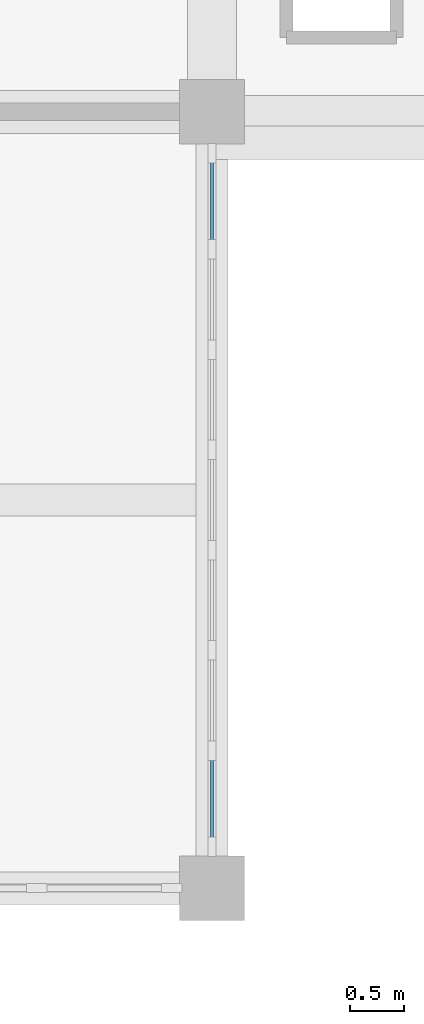
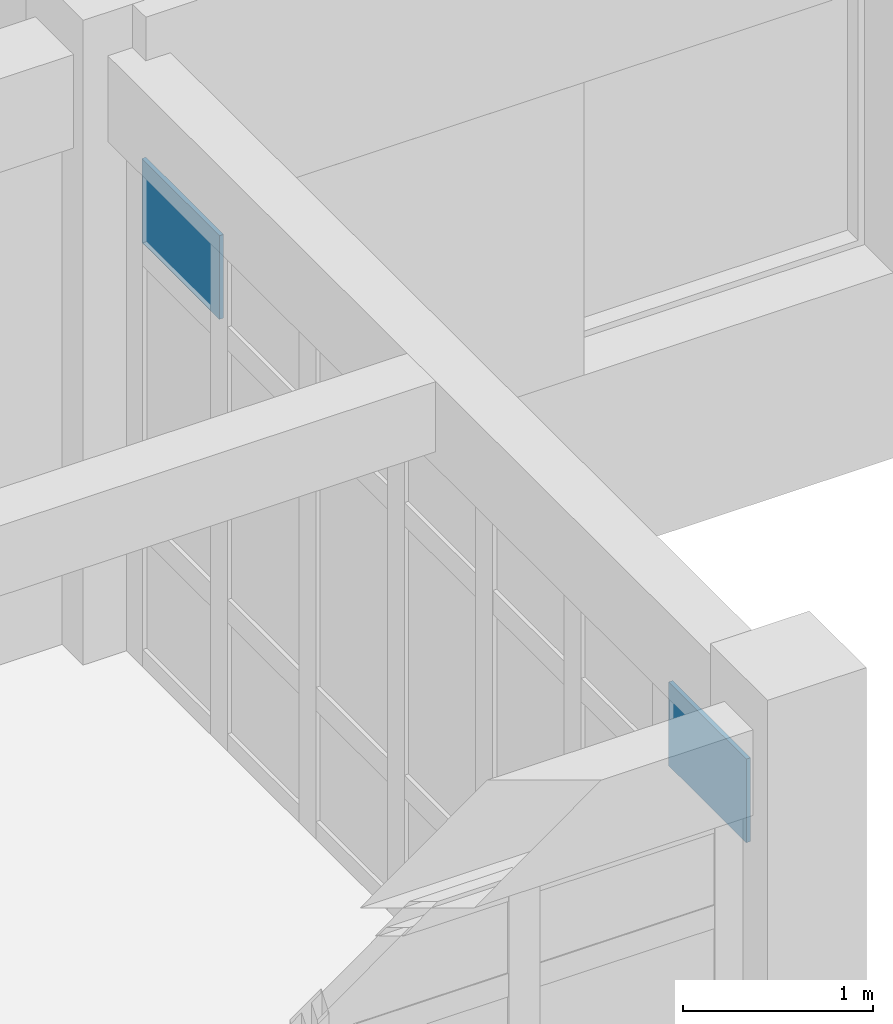
# One storey, part 47 of 62: 2 plates, 1 element without a shape of its own.
"""IFC4 building model written with IfcOpenShell, lengths in metres."""

from ifc_helpers import new_model, si_unit, direction, frame, origin, origin_2d, place, context, subcontext, project, spatial, rectangle, extrude, material, layer, layer_set, type_object, element, aggregate, save


model = new_model("IFC4")

# Units and contexts
model_context = context("Model", 3, precision=1e-05, world=origin(), true_north=direction((0.0, 1.0)))
body_context = subcontext(model_context, "Body", "Model", "MODEL_VIEW")
ifc_project = project(units=[si_unit("LENGTHUNIT", "METRE"), si_unit("AREAUNIT", "SQUARE_METRE"), si_unit("VOLUMEUNIT", "CUBIC_METRE"), si_unit("PLANEANGLEUNIT", "RADIAN"), si_unit("MASSUNIT", "GRAM", prefix="KILO")], contexts=[model_context])

# Site, building, storey
site_placement = place(None, origin())
site = spatial("IfcSite", under=ifc_project, at=site_placement, CompositionType="ELEMENT")
building_placement = place(site_placement, origin())
building = spatial("IfcBuilding", under=site, at=building_placement, Name="Kavelor Marine Aquarium", CompositionType="ELEMENT")
storey_placement = place(building_placement, frame((0.0, 0.0, 13.5)))
storey = spatial("IfcBuildingStorey", under=building, at=storey_placement, Name="L03", CompositionType="ELEMENT", Elevation=13.5)

# Curtain wall, plates
ifc_material_1 = material(Name="Thermally Broken Aluminium and Low-E Glass", Category="aluminium")
ifc_layer_1 = layer(ifc_material_1, 0.14794921875)
ifc_layer_set_1 = layer_set([ifc_layer_1], Name="CW-SYS1")
curtain_wall_type = type_object("IfcCurtainWallType", Name="CW-SYS1", PredefinedType="USERDEFINED", material=ifc_layer_set_1)
curtain_wall_placement = place(storey_placement, origin())
curtain_wall = element("IfcCurtainWall", 1, at=curtain_wall_placement, inside=storey, type_object=curtain_wall_type, Name="cw:y:L03:06_11", ObjectType="Curtain Wall", PredefinedType="USERDEFINED")
ifc_material_2 = material(Name="Solar-Control Double Low-E Glazing", Category="glass")
ifc_layer_2 = layer(ifc_material_2, 0.02587890625)
ifc_layer_set_2 = layer_set([ifc_layer_2], Name="CWP-01")
plate_type = type_object("IfcPlateType", Name="CWP-01", PredefinedType="CURTAIN_PANEL", material=ifc_layer_set_2)
plate_1_placement = place(storey_placement, frame((46.39990234375, 82.828857421875, 2.6875), z_axis=(0.0, 0.0, 1.0), x_axis=(0.0, 1.0, 0.0)))
plate_1 = element("IfcPlate", 2, at=plate_1_placement, type_object=plate_type, Name="CW01 panel 1.3", PredefinedType="CURTAIN_PANEL", context=body_context, shape_type="SweptSolid", body=[
    extrude(rectangle(XDim=0.8173828125, YDim=0.02587890625, at=origin_2d()), origin(), (0.0, 0.0, 1.0), 0.53759765625),
])
plate_2_placement = place(storey_placement, frame((46.39990234375, 88.371337890625, 2.6875), z_axis=(0.0, 0.0, 1.0), x_axis=(0.0, 1.0, 0.0)))
plate_2 = element("IfcPlate", 3, at=plate_2_placement, type_object=plate_type, Name="CW01 panel 7.3", PredefinedType="CURTAIN_PANEL", context=body_context, shape_type="SweptSolid", body=[
    extrude(rectangle(XDim=0.8173828125, YDim=0.02587890625, at=origin_2d()), origin(), (0.0, 0.0, 1.0), 0.53759765625),
])
aggregate(curtain_wall, [plate_1, plate_2])

save(model, "model.ifc")
